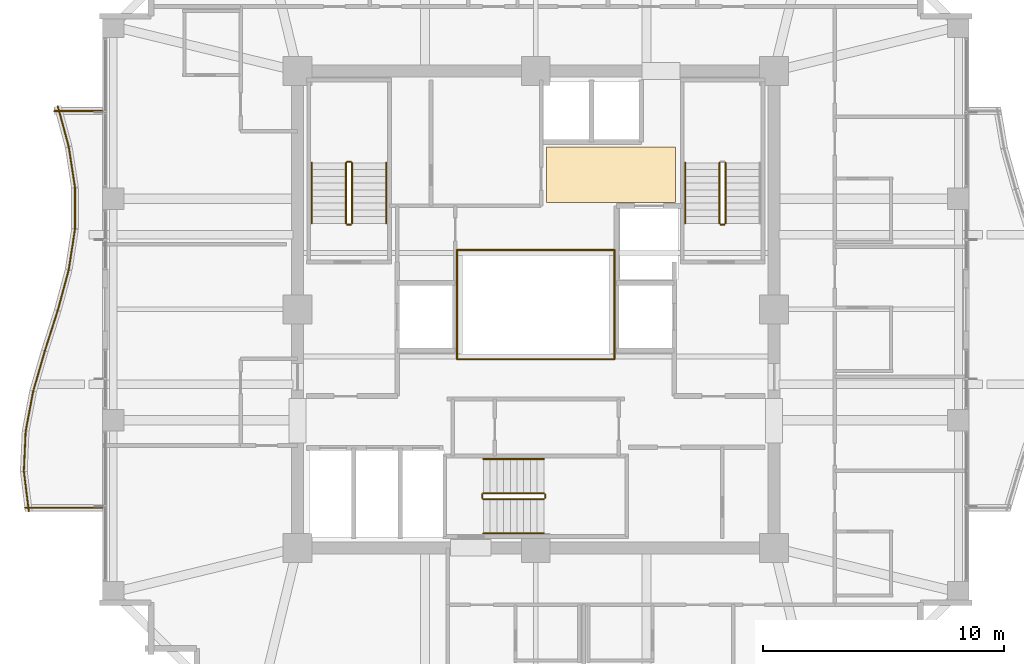
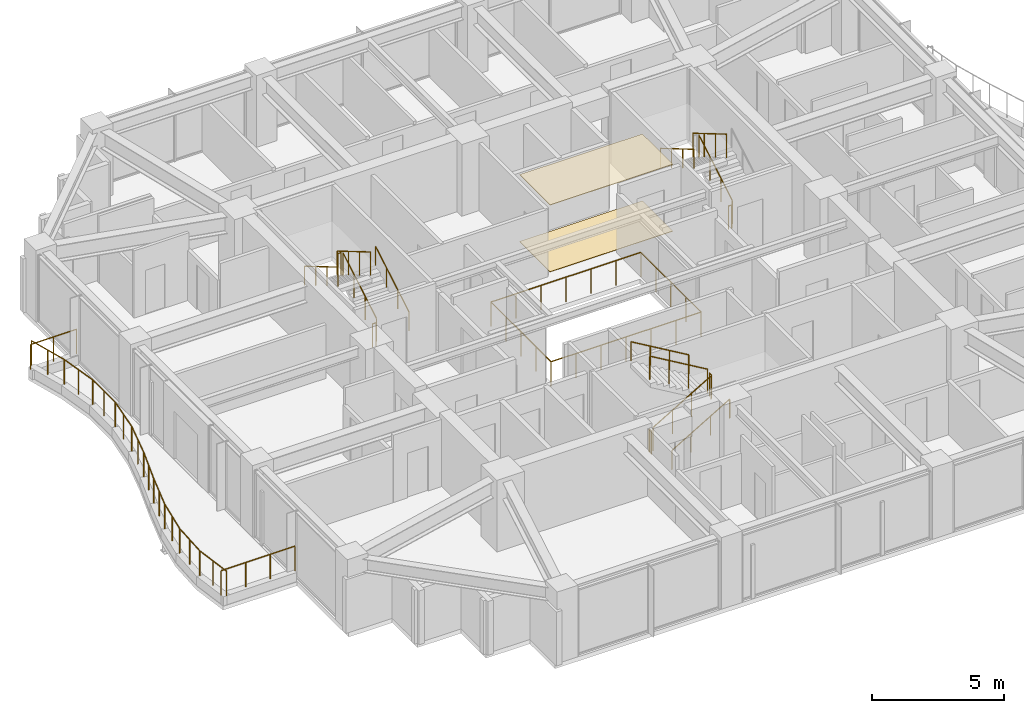
# One storey, part 32 of 33: 32 railings, 2 coverings.
"""IFC4 building model written with IfcOpenShell, lengths in metres."""

from ifc_helpers import new_model, si_unit, direction, frame, origin, origin_2d, place, context, subcontext, project, spatial, polyline, circle, outline, extrude, material, layer, layer_set, type_object, element, save


model = new_model("IFC4")

# Units and contexts
model_context = context("Model", 3, precision=1e-05, world=origin(), true_north=direction((0.0, 1.0)))
body_context = subcontext(model_context, "Body", "Model", "MODEL_VIEW")
ifc_project = project(units=[si_unit("LENGTHUNIT", "METRE"), si_unit("AREAUNIT", "SQUARE_METRE"), si_unit("VOLUMEUNIT", "CUBIC_METRE"), si_unit("PLANEANGLEUNIT", "RADIAN"), si_unit("MASSUNIT", "GRAM", prefix="KILO")], contexts=[model_context])

# Site, building, storey
site_placement = place(None, origin())
site = spatial("IfcSite", under=ifc_project, at=site_placement, CompositionType="ELEMENT")
building_placement = place(site_placement, origin())
building = spatial("IfcBuilding", under=site, at=building_placement, Name="Kolvaren Belvedere", CompositionType="ELEMENT")
storey_placement = place(building_placement, frame((0.0, 0.0, 128.300048828125)))
storey = spatial("IfcBuildingStorey", under=building, at=storey_placement, Name="L37", CompositionType="ELEMENT", Elevation=128.300048828125)

# Coverings
ifc_material_1 = material(Name="Acoustic perforated gypsum board", Category="gypsum")
ifc_layer_1 = layer(ifc_material_1, 0.02490234375)
ifc_layer_set_1 = layer_set([ifc_layer_1], Name="Acoustic perforated gypsum board")
covering_type_1 = type_object("IfcCoveringType", Name="COV-CEIL-GYP", PredefinedType="CEILING", material=ifc_layer_set_1)
covering_1_placement = place(storey_placement, frame((0.0, 0.0, 3.074951171875)))
element("IfcCovering", 1, at=covering_1_placement, inside=storey, type_object=covering_type_1, Name="L37 Lift Lobby Acoustic Baffle Ceiling", PredefinedType="CEILING", context=body_context, shape_type="SweptSolid", body=[
    extrude(outline(polyline([(0.449951171875, 4.449951171875), (5.800048828125, 4.449951171875), (5.800048828125, 6.75), (0.449951171875, 6.75), (0.449951171875, 4.449951171875)])), origin(), (0.0, 0.0, 1.0), 0.02490234375),
])
ifc_material_2 = material(Name="Engineered Pacific white oak", Category="timber")
ifc_layer_2 = layer(ifc_material_2, 0.02001953125)
ifc_layer_set_2 = layer_set([ifc_layer_2], Name="Engineered Pacific white oak")
covering_type_2 = type_object("IfcCoveringType", Name="COV-FLR-OAK", PredefinedType="FLOORING", material=ifc_layer_set_2)
covering_2_placement = place(storey_placement, origin())
element("IfcCovering", 2, at=covering_2_placement, inside=storey, type_object=covering_type_2, Name="L37 Lift Lobby Finish Flooring", PredefinedType="FLOORING", context=body_context, shape_type="SweptSolid", body=[
    extrude(outline(polyline([(0.449951171875, 4.449951171875), (5.800048828125, 4.449951171875), (5.800048828125, 6.75), (0.449951171875, 6.75), (0.449951171875, 4.449951171875)])), origin(), (0.0, 0.0, 1.0), 0.02001953125),
])

# Railings
ifc_material_3 = material(Name="Laminated glass & stainless-steel cap rail", Category="steel")
railing_type_1 = type_object("IfcRailingType", Name="RL-ATR-1150", PredefinedType="BALUSTRADE", material=ifc_material_3)
for number, where, name in (
    (3, (-3.27001953125, 2.469970703125, 0.0), "L37 Atrium North Glass Balustrade"),
    (4, (-3.27001953125, -2.070068359375, 0.0), "L37 Atrium South Glass Balustrade"),
):
    element("IfcRailing", number, at=place(storey_placement, frame(where)), inside=storey, type_object=railing_type_1, Name=name, PredefinedType="BALUSTRADE", context=body_context, shape_type="SweptSolid", body=[
        extrude(circle(Radius=0.02392578125, at=origin_2d()), frame((0.0, 0.0, 1.1259765625), z_axis=(1.0, 0.0, 0.0), x_axis=(0.0, 1.0, 0.0)), (0.0, 0.0, 1.0), 6.5400390625),
        extrude(circle(Radius=0.02099609375, at=origin_2d()), origin(), (0.0, 0.0, 1.0), 1.101806640625),
        extrude(circle(Radius=0.02099609375, at=origin_2d()), frame((1.090087890625, 0.0, 0.0)), (0.0, 0.0, 1.0), 1.101806640625),
        extrude(circle(Radius=0.02099609375, at=origin_2d()), frame((2.179931640625, 0.0, 0.0)), (0.0, 0.0, 1.0), 1.101806640625),
        extrude(circle(Radius=0.02099609375, at=origin_2d()), frame((3.27001953125, 0.0, 0.0)), (0.0, 0.0, 1.0), 1.101806640625),
        extrude(circle(Radius=0.02099609375, at=origin_2d()), frame((4.360107421875, 0.0, 0.0)), (0.0, 0.0, 1.0), 1.101806640625),
        extrude(circle(Radius=0.02099609375, at=origin_2d()), frame((5.449951171875, 0.0, 0.0)), (0.0, 0.0, 1.0), 1.101806640625),
        extrude(circle(Radius=0.02099609375, at=origin_2d()), frame((6.5400390625, 0.0, 0.0)), (0.0, 0.0, 1.0), 1.101806640625),
    ])
for number, where, name in (
    (5, (-3.27001953125, -2.070068359375, 0.0), "L37 Atrium West Glass Balustrade"),
    (6, (3.27001953125, -2.070068359375, 0.0), "L37 Atrium East Glass Balustrade"),
):
    element("IfcRailing", number, at=place(storey_placement, frame(where)), inside=storey, type_object=railing_type_1, Name=name, PredefinedType="BALUSTRADE", context=body_context, shape_type="SweptSolid", body=[
        extrude(circle(Radius=0.02392578125, at=origin_2d()), frame((0.0, 0.0, 1.1259765625), z_axis=(0.0, 1.0, 0.0), x_axis=(-1.0, 0.0, 0.0)), (0.0, 0.0, 1.0), 4.5400390625),
        extrude(circle(Radius=0.02099609375, at=origin_2d()), origin(), (0.0, 0.0, 1.0), 1.101806640625),
        extrude(circle(Radius=0.02099609375, at=origin_2d()), frame((0.0, 1.135009765625, 0.0)), (0.0, 0.0, 1.0), 1.101806640625),
        extrude(circle(Radius=0.02099609375, at=origin_2d()), frame((0.0, 2.27001953125, 0.0)), (0.0, 0.0, 1.0), 1.101806640625),
        extrude(circle(Radius=0.02099609375, at=origin_2d()), frame((0.0, 3.405029296875, 0.0)), (0.0, 0.0, 1.0), 1.101806640625),
        extrude(circle(Radius=0.02099609375, at=origin_2d()), frame((0.0, 4.5400390625, 0.0)), (0.0, 0.0, 1.0), 1.101806640625),
    ])
ifc_material_4 = material(Name="Anodised pale-metal aluminium & laminated glass guard", Category="aluminium")
railing_type_2 = type_object("IfcRailingType", Name="RL-GUARD-1150", PredefinedType="GUARDRAIL", material=ifc_material_4)
railing_1_placement = place(storey_placement, frame((-19.851806640625, 8.441650390625, 0.39990234375)))
element("IfcRailing", 7, at=railing_1_placement, inside=storey, type_object=railing_type_2, Name="L37 Exterior Deck Safety Guard BAL-W-1", PredefinedType="GUARDRAIL", context=body_context, shape_type="SweptSolid", body=[
    extrude(circle(Radius=0.02392578125, at=origin_2d()), frame((0.0, 0.0, 1.1259765625), z_axis=(0.260682852326, -0.965424492388, 0.0), x_axis=(0.965424492388, 0.260682852326, 0.0)), (0.0, 0.0, 1.0), 1.739990234375),
    extrude(circle(Radius=0.02099609375, at=origin_2d()), origin(), (0.0, 0.0, 1.0), 1.101806640625),
    extrude(circle(Radius=0.02099609375, at=origin_2d()), frame((0.226806640625, -0.83984375, 0.0)), (0.0, 0.0, 1.0), 1.101806640625),
    extrude(circle(Radius=0.02099609375, at=origin_2d()), frame((0.45361328125, -1.679931640625, 0.0)), (0.0, 0.0, 1.0), 1.101806640625),
])
railing_2_placement = place(storey_placement, frame((-19.39453125, 6.744384765625, 0.39990234375)))
element("IfcRailing", 8, at=railing_2_placement, inside=storey, type_object=railing_type_2, Name="L37 Exterior Deck Safety Guard BAL-W-2", PredefinedType="GUARDRAIL", context=body_context, shape_type="SweptSolid", body=[
    extrude(circle(Radius=0.02392578125, at=origin_2d()), frame((0.0, 0.0, 1.1259765625), z_axis=(0.152251460091, -0.988341789514, 0.0), x_axis=(0.988341789514, 0.152251460091, 0.0)), (0.0, 0.0, 1.0), 1.69970703125),
    extrude(circle(Radius=0.02099609375, at=origin_2d()), origin(), (0.0, 0.0, 1.0), 1.101806640625),
    extrude(circle(Radius=0.02099609375, at=origin_2d()), frame((0.12939453125, -0.83984375, 0.0)), (0.0, 0.0, 1.0), 1.101806640625),
    extrude(circle(Radius=0.02099609375, at=origin_2d()), frame((0.2587890625, -1.679931640625, 0.0)), (0.0, 0.0, 1.0), 1.101806640625),
])
railing_3_placement = place(storey_placement, frame((-19.1337890625, 5.0400390625, 0.39990234375)))
element("IfcRailing", 9, at=railing_3_placement, inside=storey, type_object=railing_type_2, Name="L37 Exterior Deck Safety Guard BAL-W-3", PredefinedType="GUARDRAIL", context=body_context, shape_type="SweptSolid", body=[
    extrude(circle(Radius=0.02392578125, at=origin_2d()), frame((0.0, 0.0, 1.1259765625), z_axis=(0.0, -1.0, 0.0), x_axis=(1.0, 0.0, 0.0)), (0.0, 0.0, 1.0), 1.679931640625),
    extrude(circle(Radius=0.02099609375, at=origin_2d()), origin(), (0.0, 0.0, 1.0), 1.101806640625),
    extrude(circle(Radius=0.02099609375, at=origin_2d()), frame((0.0, -0.83984375, 0.0)), (0.0, 0.0, 1.0), 1.101806640625),
    extrude(circle(Radius=0.02099609375, at=origin_2d()), frame((0.0, -1.679931640625, 0.0)), (0.0, 0.0, 1.0), 1.101806640625),
])
railing_4_placement = place(storey_placement, frame((-19.1357421875, 3.335693359375, 0.39990234375)))
element("IfcRailing", 10, at=railing_4_placement, inside=storey, type_object=railing_type_2, Name="L37 Exterior Deck Safety Guard BAL-W-4", PredefinedType="GUARDRAIL", context=body_context, shape_type="SweptSolid", body=[
    extrude(circle(Radius=0.02392578125, at=origin_2d()), frame((0.0, 0.0, 1.1259765625), z_axis=(-0.152229849666, -0.988345118302, 0.0), x_axis=(0.988345118302, -0.152229849666, 0.0)), (0.0, 0.0, 1.0), 1.699951171875),
    extrude(circle(Radius=0.02099609375, at=origin_2d()), origin(), (0.0, 0.0, 1.0), 1.101806640625),
    extrude(circle(Radius=0.02099609375, at=origin_2d()), frame((-0.12939453125, -0.840087890625, 0.0)), (0.0, 0.0, 1.0), 1.101806640625),
    extrude(circle(Radius=0.02099609375, at=origin_2d()), frame((-0.2587890625, -1.68017578125, 0.0)), (0.0, 0.0, 1.0), 1.101806640625),
])
railing_5_placement = place(storey_placement, frame((-19.398193359375, 1.63818359375, 0.39990234375)))
element("IfcRailing", 11, at=railing_5_placement, inside=storey, type_object=railing_type_2, Name="L37 Exterior Deck Safety Guard BAL-W-5", PredefinedType="GUARDRAIL", context=body_context, shape_type="SweptSolid", body=[
    extrude(circle(Radius=0.02392578125, at=origin_2d()), frame((0.0, 0.0, 1.1259765625), z_axis=(-0.260682852326, -0.965424492388, 0.0), x_axis=(0.965424492388, -0.260682852326, 0.0)), (0.0, 0.0, 1.0), 1.739990234375),
    extrude(circle(Radius=0.02099609375, at=origin_2d()), origin(), (0.0, 0.0, 1.0), 1.101806640625),
    extrude(circle(Radius=0.02099609375, at=origin_2d()), frame((-0.226806640625, -0.83984375, 0.0)), (0.0, 0.0, 1.0), 1.101806640625),
    extrude(circle(Radius=0.02099609375, at=origin_2d()), frame((-0.45361328125, -1.679931640625, 0.0)), (0.0, 0.0, 1.0), 1.101806640625),
])
railing_6_placement = place(storey_placement, frame((-19.85400390625, -0.048583984375, 0.39990234375)))
element("IfcRailing", 12, at=railing_6_placement, inside=storey, type_object=railing_type_2, Name="L37 Exterior Deck Safety Guard BAL-W-6", PredefinedType="GUARDRAIL", context=body_context, shape_type="SweptSolid", body=[
    extrude(circle(Radius=0.02392578125, at=origin_2d()), frame((0.0, 0.0, 1.1259765625), z_axis=(-0.303906495014, -0.952701864325, 0.0), x_axis=(0.952701864325, -0.303906495014, 0.0)), (0.0, 0.0, 1.0), 1.763427734375),
    extrude(circle(Radius=0.02099609375, at=origin_2d()), origin(), (0.0, 0.0, 1.0), 1.101806640625),
    extrude(circle(Radius=0.02099609375, at=origin_2d()), frame((-0.26806640625, -0.83984375, 0.0)), (0.0, 0.0, 1.0), 1.101806640625),
    extrude(circle(Radius=0.02099609375, at=origin_2d()), frame((-0.535888671875, -1.679931640625, 0.0)), (0.0, 0.0, 1.0), 1.101806640625),
])
railing_7_placement = place(storey_placement, frame((-20.388671875, -1.724609375, 0.39990234375)))
element("IfcRailing", 13, at=railing_7_placement, inside=storey, type_object=railing_type_2, Name="L37 Exterior Deck Safety Guard BAL-W-7", PredefinedType="GUARDRAIL", context=body_context, shape_type="SweptSolid", body=[
    extrude(circle(Radius=0.02392578125, at=origin_2d()), frame((0.0, 0.0, 1.1259765625), z_axis=(-0.277946215201, -0.96059663827, 0.0), x_axis=(0.96059663827, -0.277946215201, 0.0)), (0.0, 0.0, 1.0), 1.748779296875),
    extrude(circle(Radius=0.02099609375, at=origin_2d()), origin(), (0.0, 0.0, 1.0), 1.101806640625),
    extrude(circle(Radius=0.02099609375, at=origin_2d()), frame((-0.2431640625, -0.83984375, 0.0)), (0.0, 0.0, 1.0), 1.101806640625),
    extrude(circle(Radius=0.02099609375, at=origin_2d()), frame((-0.486083984375, -1.679931640625, 0.0)), (0.0, 0.0, 1.0), 1.101806640625),
])
railing_8_placement = place(storey_placement, frame((-20.87109375, -3.3896484375, 0.39990234375)))
element("IfcRailing", 14, at=railing_8_placement, inside=storey, type_object=railing_type_2, Name="L37 Exterior Deck Safety Guard BAL-W-8", PredefinedType="GUARDRAIL", context=body_context, shape_type="SweptSolid", body=[
    extrude(circle(Radius=0.02392578125, at=origin_2d()), frame((0.0, 0.0, 1.1259765625), z_axis=(-0.184814532932, -0.982773416621, 0.0), x_axis=(0.982773416621, -0.184814532932, 0.0)), (0.0, 0.0, 1.0), 1.70947265625),
    extrude(circle(Radius=0.02099609375, at=origin_2d()), origin(), (0.0, 0.0, 1.0), 1.101806640625),
    extrude(circle(Radius=0.02099609375, at=origin_2d()), frame((-0.157958984375, -0.83984375, 0.0)), (0.0, 0.0, 1.0), 1.101806640625),
    extrude(circle(Radius=0.02099609375, at=origin_2d()), frame((-0.31591796875, -1.679931640625, 0.0)), (0.0, 0.0, 1.0), 1.101806640625),
])
railing_9_placement = place(storey_placement, frame((-21.184326171875, -5.047119140625, 0.39990234375)))
element("IfcRailing", 15, at=railing_9_placement, inside=storey, type_object=railing_type_2, Name="L37 Exterior Deck Safety Guard BAL-W-9", PredefinedType="GUARDRAIL", context=body_context, shape_type="SweptSolid", body=[
    extrude(circle(Radius=0.02392578125, at=origin_2d()), frame((0.0, 0.0, 1.1259765625), z_axis=(-0.045144279054, -0.998980477321, 0.0), x_axis=(0.998980477321, -0.045144279054, 0.0)), (0.0, 0.0, 1.0), 1.681884765625),
    extrude(circle(Radius=0.02099609375, at=origin_2d()), origin(), (0.0, 0.0, 1.0), 1.101806640625),
    extrude(circle(Radius=0.02099609375, at=origin_2d()), frame((-0.0380859375, -0.840087890625, 0.0)), (0.0, 0.0, 1.0), 1.101806640625),
    extrude(circle(Radius=0.02099609375, at=origin_2d()), frame((-0.075927734375, -1.68017578125, 0.0)), (0.0, 0.0, 1.0), 1.101806640625),
])
railing_10_placement = place(storey_placement, frame((-21.26123046875, -6.700439453125, 0.39990234375)))
element("IfcRailing", 16, at=railing_10_placement, inside=storey, type_object=railing_type_2, Name="L37 Exterior Deck Safety Guard BAL-W-10", PredefinedType="GUARDRAIL", context=body_context, shape_type="SweptSolid", body=[
    extrude(circle(Radius=0.02392578125, at=origin_2d()), frame((0.0, 0.0, 1.1259765625), z_axis=(0.121868867697, -0.992546210051, 0.0), x_axis=(0.992546210051, 0.121868867697, 0.0)), (0.0, 0.0, 1.0), 1.69287109375),
    extrude(circle(Radius=0.02099609375, at=origin_2d()), origin(), (0.0, 0.0, 1.0), 1.101806640625),
    extrude(circle(Radius=0.02099609375, at=origin_2d()), frame((0.10302734375, -0.840087890625, 0.0)), (0.0, 0.0, 1.0), 1.101806640625),
    extrude(circle(Radius=0.02099609375, at=origin_2d()), frame((0.206298828125, -1.68017578125, 0.0)), (0.0, 0.0, 1.0), 1.101806640625),
])
railing_11_placement = place(storey_placement, frame((-21.213623046875, -8.239990234375, 0.39990234375)))
element("IfcRailing", 17, at=railing_11_placement, inside=storey, type_object=railing_type_2, Name="L37 Exterior Deck Safety Guard BAL-W-11", PredefinedType="GUARDRAIL", context=body_context, shape_type="SweptSolid", body=[
    extrude(circle(Radius=0.02392578125, at=origin_2d()), frame((0.0, 0.0, 1.1259765625), z_axis=(1.0, 0.0, 0.0), x_axis=(0.0, 1.0, 0.0)), (0.0, 0.0, 1.0), 3.213623046875),
    extrude(circle(Radius=0.02099609375, at=origin_2d()), origin(), (0.0, 0.0, 1.0), 1.101806640625),
    extrude(circle(Radius=0.02099609375, at=origin_2d()), frame((1.0712890625, 0.0, 0.0)), (0.0, 0.0, 1.0), 1.101806640625),
    extrude(circle(Radius=0.02099609375, at=origin_2d()), frame((2.142333984375, 0.0, 0.0)), (0.0, 0.0, 1.0), 1.101806640625),
    extrude(circle(Radius=0.02099609375, at=origin_2d()), frame((3.213623046875, 0.0, 0.0)), (0.0, 0.0, 1.0), 1.101806640625),
])
railing_12_placement = place(storey_placement, frame((-18.0, 8.239990234375, 0.39990234375)))
element("IfcRailing", 18, at=railing_12_placement, inside=storey, type_object=railing_type_2, Name="L37 Exterior Deck Safety Guard BAL-W-22", PredefinedType="GUARDRAIL", context=body_context, shape_type="SweptSolid", body=[
    extrude(circle(Radius=0.02392578125, at=origin_2d()), frame((0.0, 0.0, 1.1259765625), z_axis=(-1.0, 0.0, 0.0), x_axis=(0.0, -1.0, 0.0)), (0.0, 0.0, 1.0), 2.00634765625),
    extrude(circle(Radius=0.02099609375, at=origin_2d()), origin(), (0.0, 0.0, 1.0), 1.101806640625),
    extrude(circle(Radius=0.02099609375, at=origin_2d()), frame((-1.003173828125, 0.0, 0.0)), (0.0, 0.0, 1.0), 1.101806640625),
    extrude(circle(Radius=0.02099609375, at=origin_2d()), frame((-2.00634765625, 0.0, 0.0)), (0.0, 0.0, 1.0), 1.101806640625),
])
ifc_material_5 = material(Name="Brushed stainless-steel handrail", Category="steel")
railing_type_3 = type_object("IfcRailingType", Name="RL-HANDRAIL-920", PredefinedType="HANDRAIL", material=ifc_material_5)
railing_13_placement = place(storey_placement, frame((-6.2099609375, 3.570068359375, 0.1650390625)))
element("IfcRailing", 19, at=railing_13_placement, inside=storey, type_object=railing_type_3, Name="L37 ST-1 stair handrail 1", PredefinedType="HANDRAIL", context=body_context, shape_type="SweptSolid", body=[
    extrude(circle(Radius=0.02392578125, at=origin_2d()), frame((0.0, 0.0, 0.8759765625), z_axis=(0.0, 0.861560626758, 0.507654692109), x_axis=(-1.0, 0.0, 0.0)), (0.0, 0.0, 1.0), 2.925048828125),
    extrude(circle(Radius=0.02099609375, at=origin_2d()), origin(), (0.0, 0.0, 1.0), 0.851806640625),
    extrude(circle(Radius=0.02099609375, at=origin_2d()), frame((0.0, 0.840087890625, 0.494873046875)), (0.0, 0.0, 1.0), 0.851806640625),
    extrude(circle(Radius=0.02099609375, at=origin_2d()), frame((0.0, 1.679931640625, 0.989990234375)), (0.0, 0.0, 1.0), 0.851806640625),
    extrude(circle(Radius=0.02099609375, at=origin_2d()), frame((0.0, 2.52001953125, 1.48486328125)), (0.0, 0.0, 1.0), 0.851806640625),
])
for number, where, name in (
    (20, (-9.300048828125, 6.090087890625, 1.81494140625), "L37 ST-1 stair handrail 2"),
    (21, (6.2099609375, 6.090087890625, 1.81494140625), "L37 ST-2 stair handrail 2"),
):
    element("IfcRailing", number, at=place(storey_placement, frame(where)), inside=storey, type_object=railing_type_3, Name=name, PredefinedType="HANDRAIL", context=body_context, shape_type="SweptSolid", body=[
        extrude(circle(Radius=0.02392578125, at=origin_2d()), frame((0.0, 0.0, 0.8759765625), z_axis=(0.0, -0.86152411907, 0.507716645641), x_axis=(1.0, 0.0, 0.0)), (0.0, 0.0, 1.0), 2.925048828125),
        extrude(circle(Radius=0.02099609375, at=origin_2d()), origin(), (0.0, 0.0, 1.0), 0.851806640625),
        extrude(circle(Radius=0.02099609375, at=origin_2d()), frame((0.0, -0.840087890625, 0.4951171875)), (0.0, 0.0, 1.0), 0.851806640625),
        extrude(circle(Radius=0.02099609375, at=origin_2d()), frame((0.0, -1.679931640625, 0.989990234375)), (0.0, 0.0, 1.0), 0.851806640625),
        extrude(circle(Radius=0.02099609375, at=origin_2d()), frame((0.0, -2.52001953125, 1.485107421875)), (0.0, 0.0, 1.0), 0.851806640625),
    ])
railing_14_placement = place(storey_placement, frame((-2.179931640625, -9.300048828125, 0.1650390625)))
element("IfcRailing", 22, at=railing_14_placement, inside=storey, type_object=railing_type_3, Name="L37 ST-3 stair handrail 1", PredefinedType="HANDRAIL", context=body_context, shape_type="SweptSolid", body=[
    extrude(circle(Radius=0.02392578125, at=origin_2d()), frame((0.0, 0.0, 0.8759765625), z_axis=(0.861560626758, 0.0, 0.507654692109), x_axis=(0.0, 1.0, 0.0)), (0.0, 0.0, 1.0), 2.925048828125),
    extrude(circle(Radius=0.02099609375, at=origin_2d()), origin(), (0.0, 0.0, 1.0), 0.851806640625),
    extrude(circle(Radius=0.02099609375, at=origin_2d()), frame((0.840087890625, 0.0, 0.494873046875)), (0.0, 0.0, 1.0), 0.851806640625),
    extrude(circle(Radius=0.02099609375, at=origin_2d()), frame((1.679931640625, 0.0, 0.989990234375)), (0.0, 0.0, 1.0), 0.851806640625),
    extrude(circle(Radius=0.02099609375, at=origin_2d()), frame((2.52001953125, 0.0, 1.48486328125)), (0.0, 0.0, 1.0), 0.851806640625),
])
railing_15_placement = place(storey_placement, frame((0.340087890625, -6.2099609375, 1.81494140625)))
element("IfcRailing", 23, at=railing_15_placement, inside=storey, type_object=railing_type_3, Name="L37 ST-3 stair handrail 2", PredefinedType="HANDRAIL", context=body_context, shape_type="SweptSolid", body=[
    extrude(circle(Radius=0.02392578125, at=origin_2d()), frame((0.0, 0.0, 0.8759765625), z_axis=(-0.86152411907, 0.0, 0.507716645641), x_axis=(0.0, -1.0, 0.0)), (0.0, 0.0, 1.0), 2.925048828125),
    extrude(circle(Radius=0.02099609375, at=origin_2d()), origin(), (0.0, 0.0, 1.0), 0.851806640625),
    extrude(circle(Radius=0.02099609375, at=origin_2d()), frame((-0.840087890625, 0.0, 0.4951171875)), (0.0, 0.0, 1.0), 0.851806640625),
    extrude(circle(Radius=0.02099609375, at=origin_2d()), frame((-1.679931640625, 0.0, 0.989990234375)), (0.0, 0.0, 1.0), 0.851806640625),
    extrude(circle(Radius=0.02099609375, at=origin_2d()), frame((-2.52001953125, 0.0, 1.485107421875)), (0.0, 0.0, 1.0), 0.851806640625),
])
ifc_material_6 = material(Name="Painted tubular steel stair guard", Category="steel")
railing_type_4 = type_object("IfcRailingType", Name="RL-STGUARD-1100", PredefinedType="GUARDRAIL", material=ifc_material_6)
railing_16_placement = place(storey_placement, frame((-7.6298828125, 3.570068359375, 0.1650390625)))
element("IfcRailing", 24, at=railing_16_placement, inside=storey, type_object=railing_type_4, Name="L37 ST-1 stair guard 1", PredefinedType="GUARDRAIL", context=body_context, shape_type="SweptSolid", body=[
    extrude(circle(Radius=0.02392578125, at=origin_2d()), frame((0.0, 0.0, 1.076171875), z_axis=(0.0, 0.861560626758, 0.507654692109), x_axis=(-1.0, 0.0, 0.0)), (0.0, 0.0, 1.0), 2.925048828125),
    extrude(circle(Radius=0.02099609375, at=origin_2d()), origin(), (0.0, 0.0, 1.0), 1.052001953125),
    extrude(circle(Radius=0.02099609375, at=origin_2d()), frame((0.0, 0.840087890625, 0.494873046875)), (0.0, 0.0, 1.0), 1.052001953125),
    extrude(circle(Radius=0.02099609375, at=origin_2d()), frame((0.0, 1.679931640625, 0.989990234375)), (0.0, 0.0, 1.0), 1.052001953125),
    extrude(circle(Radius=0.02099609375, at=origin_2d()), frame((0.0, 2.52001953125, 1.48486328125)), (0.0, 0.0, 1.0), 1.052001953125),
])
railing_17_placement = place(storey_placement, frame((-7.679931640625, 6.139892578125, 1.64990234375)))
element("IfcRailing", 25, at=railing_17_placement, inside=storey, type_object=railing_type_4, Name="L37 ST-1 stair guard 2", PredefinedType="GUARDRAIL", context=body_context, shape_type="SweptSolid", body=[
    extrude(circle(Radius=0.02392578125, at=origin_2d()), frame((0.0, 0.0, 1.076171875), z_axis=(-1.0, 0.0, 0.0), x_axis=(0.0, -1.0, 0.0)), (0.0, 0.0, 1.0), 0.150146484375),
    extrude(circle(Radius=0.02099609375, at=origin_2d()), origin(), (0.0, 0.0, 1.0), 1.052001953125),
    extrude(circle(Radius=0.02099609375, at=origin_2d()), frame((-0.150146484375, 0.0, 0.0)), (0.0, 0.0, 1.0), 1.052001953125),
])
railing_18_placement = place(storey_placement, frame((-7.8798828125, 6.090087890625, 1.81494140625)))
element("IfcRailing", 26, at=railing_18_placement, inside=storey, type_object=railing_type_4, Name="L37 ST-1 stair guard 3", PredefinedType="GUARDRAIL", context=body_context, shape_type="SweptSolid", body=[
    extrude(circle(Radius=0.02392578125, at=origin_2d()), frame((0.0, 0.0, 1.076171875), z_axis=(0.0, -0.86152411907, 0.507716645641), x_axis=(1.0, 0.0, 0.0)), (0.0, 0.0, 1.0), 2.925048828125),
    extrude(circle(Radius=0.02099609375, at=origin_2d()), origin(), (0.0, 0.0, 1.0), 1.052001953125),
    extrude(circle(Radius=0.02099609375, at=origin_2d()), frame((0.0, -0.840087890625, 0.4951171875)), (0.0, 0.0, 1.0), 1.052001953125),
    extrude(circle(Radius=0.02099609375, at=origin_2d()), frame((0.0, -1.679931640625, 0.989990234375)), (0.0, 0.0, 1.0), 1.052001953125),
    extrude(circle(Radius=0.02099609375, at=origin_2d()), frame((0.0, -2.52001953125, 1.485107421875)), (0.0, 0.0, 1.0), 1.052001953125),
])
railing_19_placement = place(storey_placement, frame((-7.679931640625, 3.52001953125, 0.0)))
element("IfcRailing", 27, at=railing_19_placement, inside=storey, type_object=railing_type_4, Name="L37 ST-1 stair guard 4", PredefinedType="GUARDRAIL", context=body_context, shape_type="SweptSolid", body=[
    extrude(circle(Radius=0.02392578125, at=origin_2d()), frame((0.0, 0.0, 1.076171875), z_axis=(-1.0, 0.0, 0.0), x_axis=(0.0, -1.0, 0.0)), (0.0, 0.0, 1.0), 0.150146484375),
    extrude(circle(Radius=0.02099609375, at=origin_2d()), origin(), (0.0, 0.0, 1.0), 1.052001953125),
    extrude(circle(Radius=0.02099609375, at=origin_2d()), frame((-0.150146484375, 0.0, 0.0)), (0.0, 0.0, 1.0), 1.052001953125),
])
railing_20_placement = place(storey_placement, frame((7.8798828125, 3.570068359375, 0.1650390625)))
element("IfcRailing", 28, at=railing_20_placement, inside=storey, type_object=railing_type_4, Name="L37 ST-2 stair guard 1", PredefinedType="GUARDRAIL", context=body_context, shape_type="SweptSolid", body=[
    extrude(circle(Radius=0.02392578125, at=origin_2d()), frame((0.0, 0.0, 1.076171875), z_axis=(0.0, 0.861560626758, 0.507654692109), x_axis=(-1.0, 0.0, 0.0)), (0.0, 0.0, 1.0), 2.925048828125),
    extrude(circle(Radius=0.02099609375, at=origin_2d()), origin(), (0.0, 0.0, 1.0), 1.052001953125),
    extrude(circle(Radius=0.02099609375, at=origin_2d()), frame((0.0, 0.840087890625, 0.494873046875)), (0.0, 0.0, 1.0), 1.052001953125),
    extrude(circle(Radius=0.02099609375, at=origin_2d()), frame((0.0, 1.679931640625, 0.989990234375)), (0.0, 0.0, 1.0), 1.052001953125),
    extrude(circle(Radius=0.02099609375, at=origin_2d()), frame((0.0, 2.52001953125, 1.48486328125)), (0.0, 0.0, 1.0), 1.052001953125),
])
railing_21_placement = place(storey_placement, frame((7.6298828125, 6.090087890625, 1.81494140625)))
element("IfcRailing", 29, at=railing_21_placement, inside=storey, type_object=railing_type_4, Name="L37 ST-2 stair guard 3", PredefinedType="GUARDRAIL", context=body_context, shape_type="SweptSolid", body=[
    extrude(circle(Radius=0.02392578125, at=origin_2d()), frame((0.0, 0.0, 1.076171875), z_axis=(0.0, -0.86152411907, 0.507716645641), x_axis=(1.0, 0.0, 0.0)), (0.0, 0.0, 1.0), 2.925048828125),
    extrude(circle(Radius=0.02099609375, at=origin_2d()), origin(), (0.0, 0.0, 1.0), 1.052001953125),
    extrude(circle(Radius=0.02099609375, at=origin_2d()), frame((0.0, -0.840087890625, 0.4951171875)), (0.0, 0.0, 1.0), 1.052001953125),
    extrude(circle(Radius=0.02099609375, at=origin_2d()), frame((0.0, -1.679931640625, 0.989990234375)), (0.0, 0.0, 1.0), 1.052001953125),
    extrude(circle(Radius=0.02099609375, at=origin_2d()), frame((0.0, -2.52001953125, 1.485107421875)), (0.0, 0.0, 1.0), 1.052001953125),
])
railing_22_placement = place(storey_placement, frame((7.830078125, 3.52001953125, 0.0)))
element("IfcRailing", 30, at=railing_22_placement, inside=storey, type_object=railing_type_4, Name="L37 ST-2 stair guard 4", PredefinedType="GUARDRAIL", context=body_context, shape_type="SweptSolid", body=[
    extrude(circle(Radius=0.02392578125, at=origin_2d()), frame((0.0, 0.0, 1.076171875), z_axis=(-1.0, 0.0, 0.0), x_axis=(0.0, -1.0, 0.0)), (0.0, 0.0, 1.0), 0.150146484375),
    extrude(circle(Radius=0.02099609375, at=origin_2d()), origin(), (0.0, 0.0, 1.0), 1.052001953125),
    extrude(circle(Radius=0.02099609375, at=origin_2d()), frame((-0.150146484375, 0.0, 0.0)), (0.0, 0.0, 1.0), 1.052001953125),
])
railing_23_placement = place(storey_placement, frame((-2.179931640625, -7.8798828125, 0.1650390625)))
element("IfcRailing", 31, at=railing_23_placement, inside=storey, type_object=railing_type_4, Name="L37 ST-3 stair guard 1", PredefinedType="GUARDRAIL", context=body_context, shape_type="SweptSolid", body=[
    extrude(circle(Radius=0.02392578125, at=origin_2d()), frame((0.0, 0.0, 1.076171875), z_axis=(0.861560626758, 0.0, 0.507654692109), x_axis=(0.0, 1.0, 0.0)), (0.0, 0.0, 1.0), 2.925048828125),
    extrude(circle(Radius=0.02099609375, at=origin_2d()), origin(), (0.0, 0.0, 1.0), 1.052001953125),
    extrude(circle(Radius=0.02099609375, at=origin_2d()), frame((0.840087890625, 0.0, 0.494873046875)), (0.0, 0.0, 1.0), 1.052001953125),
    extrude(circle(Radius=0.02099609375, at=origin_2d()), frame((1.679931640625, 0.0, 0.989990234375)), (0.0, 0.0, 1.0), 1.052001953125),
    extrude(circle(Radius=0.02099609375, at=origin_2d()), frame((2.52001953125, 0.0, 1.48486328125)), (0.0, 0.0, 1.0), 1.052001953125),
])
railing_24_placement = place(storey_placement, frame((0.389892578125, -7.830078125, 1.64990234375)))
element("IfcRailing", 32, at=railing_24_placement, inside=storey, type_object=railing_type_4, Name="L37 ST-3 stair guard 2", PredefinedType="GUARDRAIL", context=body_context, shape_type="SweptSolid", body=[
    extrude(circle(Radius=0.02392578125, at=origin_2d()), frame((0.0, 0.0, 1.076171875), z_axis=(0.0, 1.0, 0.0), x_axis=(-1.0, 0.0, 0.0)), (0.0, 0.0, 1.0), 0.150146484375),
    extrude(circle(Radius=0.02099609375, at=origin_2d()), origin(), (0.0, 0.0, 1.0), 1.052001953125),
    extrude(circle(Radius=0.02099609375, at=origin_2d()), frame((0.0, 0.150146484375, 0.0)), (0.0, 0.0, 1.0), 1.052001953125),
])
railing_25_placement = place(storey_placement, frame((0.340087890625, -7.6298828125, 1.81494140625)))
element("IfcRailing", 33, at=railing_25_placement, inside=storey, type_object=railing_type_4, Name="L37 ST-3 stair guard 3", PredefinedType="GUARDRAIL", context=body_context, shape_type="SweptSolid", body=[
    extrude(circle(Radius=0.02392578125, at=origin_2d()), frame((0.0, 0.0, 1.076171875), z_axis=(-0.86152411907, 0.0, 0.507716645641), x_axis=(0.0, -1.0, 0.0)), (0.0, 0.0, 1.0), 2.925048828125),
    extrude(circle(Radius=0.02099609375, at=origin_2d()), origin(), (0.0, 0.0, 1.0), 1.052001953125),
    extrude(circle(Radius=0.02099609375, at=origin_2d()), frame((-0.840087890625, 0.0, 0.4951171875)), (0.0, 0.0, 1.0), 1.052001953125),
    extrude(circle(Radius=0.02099609375, at=origin_2d()), frame((-1.679931640625, 0.0, 0.989990234375)), (0.0, 0.0, 1.0), 1.052001953125),
    extrude(circle(Radius=0.02099609375, at=origin_2d()), frame((-2.52001953125, 0.0, 1.485107421875)), (0.0, 0.0, 1.0), 1.052001953125),
])
railing_26_placement = place(storey_placement, frame((-2.22998046875, -7.830078125, 0.0)))
element("IfcRailing", 34, at=railing_26_placement, inside=storey, type_object=railing_type_4, Name="L37 ST-3 stair guard 4", PredefinedType="GUARDRAIL", context=body_context, shape_type="SweptSolid", body=[
    extrude(circle(Radius=0.02392578125, at=origin_2d()), frame((0.0, 0.0, 1.076171875), z_axis=(0.0, 1.0, 0.0), x_axis=(-1.0, 0.0, 0.0)), (0.0, 0.0, 1.0), 0.150146484375),
    extrude(circle(Radius=0.02099609375, at=origin_2d()), origin(), (0.0, 0.0, 1.0), 1.052001953125),
    extrude(circle(Radius=0.02099609375, at=origin_2d()), frame((0.0, 0.150146484375, 0.0)), (0.0, 0.0, 1.0), 1.052001953125),
])

save(model, "model.ifc")
